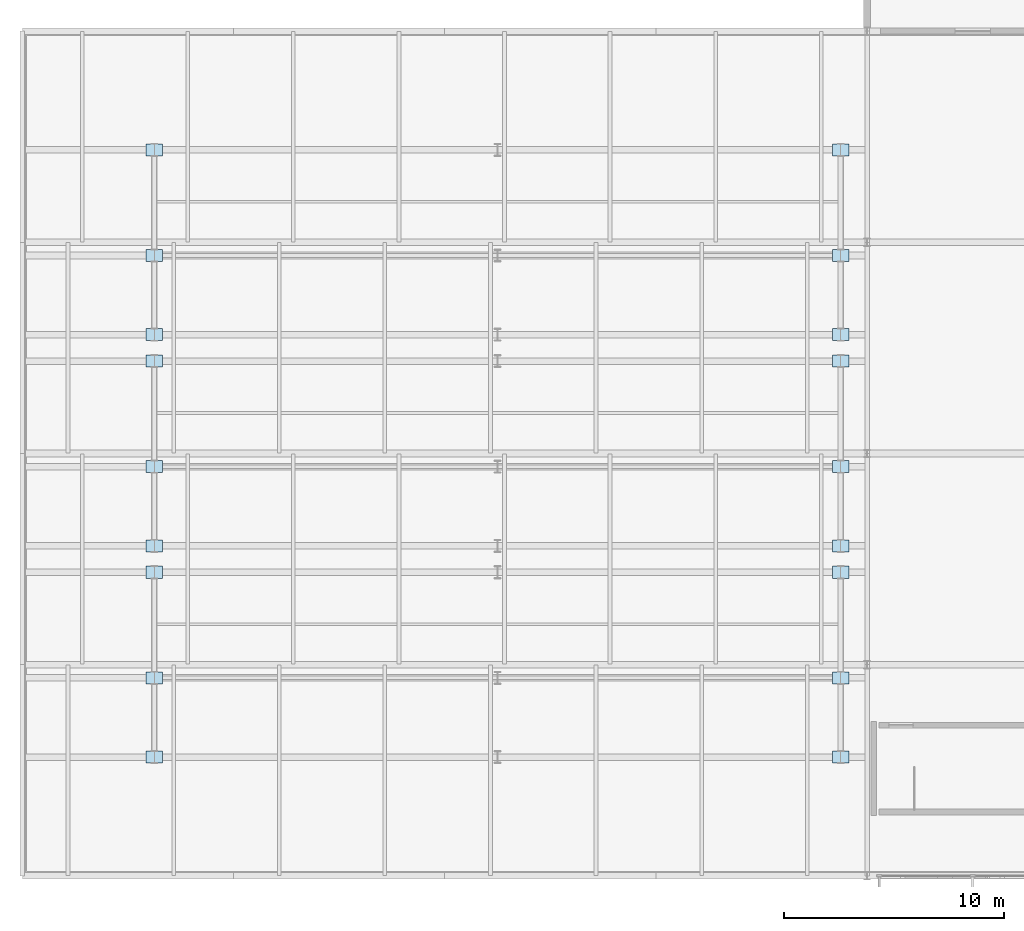
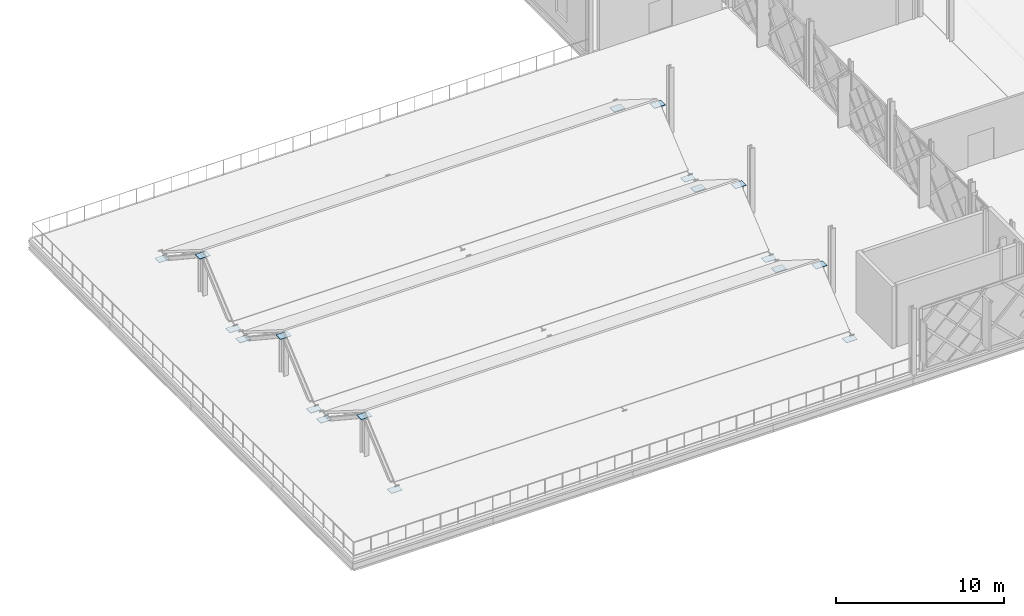
# One storey, part 46 of 77: 18 plates.
"""IFC4 building model written with IfcOpenShell, lengths in metres."""

import ifcopenshell
import ifcopenshell.guid

model = None  # the IFC model being written
_history = None  # IfcOwnerHistory: only IFC2X3 demands one
_inside = {}  # id of a spatial element -> (the spatial element, [elements in it])
_under = {}  # id of a project, library or spatial element -> (it, [spatial elements below it])
_declared = {}  # id of a project -> (the project, [libraries it declares])
_typed = {}  # id of a type object -> (the type object, [elements of that type])
_made_of = {}  # id of a material, layer set ... -> (it, [elements and type objects made of it])


def new_model(schema):
    """Start an empty IFC model of exactly this schema.

    Asked for "IFC4X3", IfcOpenShell would pick the latest addendum, in which some entities
    have other attributes; the version numbers below select the first issue.
    IFC2X3 requires an IfcOwnerHistory on every rooted entity: one is made here for all.
    """
    global model, _history
    if schema == "IFC4X3":
        model = ifcopenshell.file(schema_version=(4, 3, 0, 0))
    else:
        model = ifcopenshell.file(schema=schema)
    _inside.clear()
    _under.clear()
    _declared.clear()
    _typed.clear()
    _made_of.clear()
    _history = None
    if model.schema == "IFC2X3":
        org = make("IfcOrganization", Name="unknown")
        user = make(
            "IfcPersonAndOrganization",
            ThePerson=make("IfcPerson", FamilyName="unknown"),
            TheOrganization=org,
        )
        app = make(
            "IfcApplication",
            ApplicationDeveloper=org,
            Version="unknown",
            ApplicationFullName="unknown",
            ApplicationIdentifier="unknown",
        )
        _history = make(
            "IfcOwnerHistory",
            OwningUser=user,
            OwningApplication=app,
            ChangeAction="ADDED",
            CreationDate=0,
        )
    return model


def make(cls, **values):
    """One entity of the class cls with the attributes given. An attribute that is None is left unset."""
    return model.create_entity(
        cls, **{name: value for name, value in values.items() if value is not None}
    )


def rooted(cls, **values):
    """An entity with a GlobalId (a new one), such as an element, a storey or a relation."""
    return make(cls, GlobalId=ifcopenshell.guid.new(), OwnerHistory=_history, **values)


def si_unit(unit_type, name, prefix=None):
    """IfcSIUnit, for example si_unit("LENGTHUNIT", "METRE", prefix="MILLI")."""
    return make("IfcSIUnit", UnitType=unit_type, Prefix=prefix, Name=name)


def assignment(units):
    """IfcUnitAssignment: the units of a project."""
    return None if units is None else make("IfcUnitAssignment", Units=units)


def point(xyz):
    """IfcCartesianPoint."""
    return None if xyz is None else make("IfcCartesianPoint", Coordinates=xyz)


def direction(xyz):
    """IfcDirection."""
    return None if xyz is None else make("IfcDirection", DirectionRatios=xyz)


def frame(location, z_axis=None, x_axis=None):
    """IfcAxis2Placement3D, a coordinate frame: its origin and axes. An axis left out is left unset."""
    return make(
        "IfcAxis2Placement3D",
        Location=point(location),
        Axis=direction(z_axis),
        RefDirection=direction(x_axis),
    )


def frame_2d(location, x_axis=None):
    """IfcAxis2Placement2D, a coordinate frame in the plane: its origin and x axis."""
    return make(
        "IfcAxis2Placement2D", Location=point(location), RefDirection=direction(x_axis)
    )


def origin():
    """The frame at (0, 0, 0) with its axes left unset."""
    return frame((0.0, 0.0, 0.0))


def origin_2d():
    """The frame at (0, 0) in the plane with its x axis left unset."""
    return frame_2d((0.0, 0.0))


def place(relative_to, where):
    """IfcLocalPlacement: puts the frame where relative to a parent placement (None: the world)."""
    return make(
        "IfcLocalPlacement", PlacementRelTo=relative_to, RelativePlacement=where
    )


def context(
    kind, dimensions, precision=None, world=None, true_north=None, identifier=None
):
    """IfcGeometricRepresentationContext, for example the 3D "Model" context."""
    return make(
        "IfcGeometricRepresentationContext",
        ContextIdentifier=identifier,
        ContextType=kind,
        CoordinateSpaceDimension=dimensions,
        Precision=precision,
        WorldCoordinateSystem=world,
        TrueNorth=true_north,
    )


def subcontext(parent, identifier, kind, view, scale=None):
    """IfcGeometricRepresentationSubContext, for example "Body" below "Model"."""
    return make(
        "IfcGeometricRepresentationSubContext",
        ContextIdentifier=identifier,
        ContextType=kind,
        ParentContext=parent,
        TargetScale=scale,
        TargetView=view,
    )


def project(units=None, contexts=None):
    """IfcProject with its units and contexts."""
    return rooted(
        "IfcProject",
        Name="project",
        RepresentationContexts=contexts,
        UnitsInContext=assignment(units),
    )


def spatial(cls, under=None, at=None, **own):
    """A site, building, storey or space (cls), placed at a placement, below another one or the project."""
    s = rooted(cls, ObjectPlacement=at, **own)
    if under is not None:
        _under.setdefault(under.id(), (under, []))[1].append(s)
    return s


def profile(cls, at=None, kind="AREA", **sizes):
    """A parametric profile (cls). Its sizes go by their IFC names, for example OverallWidth=200.0."""
    return make(cls, ProfileType=kind, Position=at, **sizes)


def rectangle(**sizes):
    """IfcRectangleProfileDef."""
    return profile("IfcRectangleProfileDef", **sizes)


def extrude(swept, where, along, depth):
    """IfcExtrudedAreaSolid: the profile swept, set in the frame where, extruded along a direction by depth."""
    return make(
        "IfcExtrudedAreaSolid",
        SweptArea=swept,
        Position=where,
        ExtrudedDirection=direction(along),
        Depth=depth,
    )


def shape(context_of_items, identifier, shape_type, items):
    """IfcShapeRepresentation: the items that make up one representation, for example the "Body"."""
    return make(
        "IfcShapeRepresentation",
        ContextOfItems=context_of_items,
        RepresentationIdentifier=identifier,
        RepresentationType=shape_type,
        Items=items,
    )


def material(Name=None, Category=None):
    """IfcMaterial."""
    return make("IfcMaterial", Name=Name, Category=Category)


def layer(
    of_material, thickness, ventilated=None, Name=None, Category=None, Priority=None
):
    """IfcMaterialLayer: one layer of a wall or slab, of a material (None: an air gap)."""
    return make(
        "IfcMaterialLayer",
        Material=of_material,
        LayerThickness=thickness,
        IsVentilated=ventilated,
        Name=Name,
        Category=Category,
        Priority=Priority,
    )


def layer_set(layers, Name=None):
    """IfcMaterialLayerSet."""
    return make("IfcMaterialLayerSet", MaterialLayers=layers, LayerSetName=Name)


def made_of(thing, what):
    """Note that an element or type object is made of a material, layer set ...; save() writes the relation."""
    if what is not None:
        _made_of.setdefault(what.id(), (what, []))[1].append(thing)
    return thing


def type_object(cls, material=None, **own):
    """A type object (cls), such as IfcWallType, which elements share."""
    return made_of(rooted(cls, **own), material)


def element(
    cls,
    number,
    at=None,
    inside=None,
    cuts=None,
    type_object=None,
    material=None,
    context=None,
    identifier="Body",
    shape_type=None,
    held_by="IfcProductDefinitionShape",
    body=None,
    shapes=None,
    **own,
):
    """One element of the class cls, such as IfcWall. Its Tag is "e" and its number.

    at: its placement. inside: the storey or other place that contains it. cuts: it is an
    opening in that element (IfcRelVoidsElement). A single representation is given by context,
    identifier, shape_type and body (its items); several are given by shapes. held_by: the class
    of the entity that holds the representations. save() writes the other relations.
    """
    e = rooted(cls, Tag="e%d" % number, ObjectPlacement=at, **own)
    if body is not None:
        shapes = [shape(context, identifier, shape_type, body)]
    if shapes is not None:
        e.Representation = make(held_by, Representations=shapes)
    if inside is not None:
        _inside.setdefault(inside.id(), (inside, []))[1].append(e)
    if cuts is not None:
        rooted(
            "IfcRelVoidsElement", RelatingBuildingElement=cuts, RelatedOpeningElement=e
        )
    if type_object is not None:
        _typed.setdefault(type_object.id(), (type_object, []))[1].append(e)
    return made_of(e, material)


def aggregate(whole, parts):
    """IfcRelAggregates: a whole, such as a stair, and the parts it consists of."""
    return rooted("IfcRelAggregates", RelatingObject=whole, RelatedObjects=parts)


def save(model, path):
    """Write the relations noted so far, then the file.

    IfcRelAggregates (storeys below a building ...), IfcRelContainedInSpatialStructure (elements
    in a storey), IfcRelDefinesByType, IfcRelAssociatesMaterial and IfcRelDeclares: one each for
    every whole, place, type object, material and project.
    """
    for whole, parts in _under.values():
        aggregate(whole, parts)
    for where, things in _inside.values():
        rooted(
            "IfcRelContainedInSpatialStructure",
            RelatedElements=things,
            RelatingStructure=where,
        )
    for kind, things in _typed.values():
        rooted("IfcRelDefinesByType", RelatedObjects=things, RelatingType=kind)
    for what, things in _made_of.values():
        rooted("IfcRelAssociatesMaterial", RelatedObjects=things, RelatingMaterial=what)
    for by, libraries in _declared.values():
        rooted("IfcRelDeclares", RelatingContext=by, RelatedDefinitions=libraries)
    model.write(path)


model = new_model("IFC4")

# Units and contexts
model_context = context("Model", 3, precision=1e-05, world=origin(), true_north=direction((0.0, 1.0)))
body_context = subcontext(model_context, "Body", "Model", "MODEL_VIEW")
ifc_project = project(units=[si_unit("LENGTHUNIT", "METRE"), si_unit("AREAUNIT", "SQUARE_METRE"), si_unit("VOLUMEUNIT", "CUBIC_METRE"), si_unit("PLANEANGLEUNIT", "RADIAN"), si_unit("MASSUNIT", "GRAM", prefix="KILO")], contexts=[model_context])

# Site, building, storey
site_placement = place(None, origin())
site = spatial("IfcSite", under=ifc_project, at=site_placement, CompositionType="ELEMENT")
building_placement = place(site_placement, origin())
building = spatial("IfcBuilding", under=site, at=building_placement, Name="Zevrakil Square Congress Hotel", CompositionType="ELEMENT")
storey_placement = place(building_placement, frame((0.0, 0.0, 9.89990234375)))
storey = spatial("IfcBuildingStorey", under=building, at=storey_placement, Name="L03", CompositionType="ELEMENT", Elevation=9.89990234375)

# Plates
ifc_material = material(Name="Steel S355", Category="steel")
ifc_layer = layer(ifc_material, 0.028076171875)
ifc_layer_set = layer_set([ifc_layer], Name="Steel S355")
plate_type = type_object("IfcPlateType", Name="PLT-GUSSET-750", PredefinedType="SHEET", material=ifc_layer_set)
for number, where, z_axis, x_axis, name in (
    (1, (13.199951171875, 12.60009765625, -0.36376953125), (0.0, 0.0, 1.0), (1.0, 0.0, 0.0), "L03 brace and strut end gusset connection plate GP-E11"),
    (2, (13.199951171875, 16.199951171875, 2.80615234375), (0.0, 0.0, 1.0), (1.0, 0.0, 0.0), "L03 brace and strut end gusset connection plate GP-E12"),
    (3, (13.199951171875, 21.0, -0.36376953125), (0.0, 0.0, 1.0), (1.0, 0.0, 0.0), "L03 brace and strut end gusset connection plate GP-E13"),
    (4, (44.39990234375, 12.60009765625, -0.36376953125), (0.0, 0.0, 1.0), (1.0, 0.0, 0.0), "L03 brace and strut end gusset connection plate GP-E14"),
    (5, (44.39990234375, 16.199951171875, 2.80615234375), (0.0, 0.0, 1.0), (1.0, 0.0, 0.0), "L03 brace and strut end gusset connection plate GP-E15"),
    (6, (44.39990234375, 21.0, -0.36376953125), (0.0, 0.0, 1.0), (1.0, 0.0, 0.0), "L03 brace and strut end gusset connection plate GP-E16"),
    (7, (13.199951171875, 22.199951171875, -0.36376953125), (0.0, 0.0, 1.0), (1.0, 0.0, 0.0), "L03 brace and strut end gusset connection plate GP-E17"),
    (8, (13.199951171875, 25.800048828125, 2.80615234375), (0.0, 0.0, 1.0), (1.0, 0.0, 0.0), "L03 brace and strut end gusset connection plate GP-E18"),
    (9, (13.199951171875, 30.60009765625, -0.36376953125), (0.0, 0.0, 1.0), (1.0, 0.0, 0.0), "L03 brace and strut end gusset connection plate GP-E19"),
    (10, (44.39990234375, 22.199951171875, -0.36376953125), (0.0, 0.0, 1.0), (1.0, 0.0, 0.0), "L03 brace and strut end gusset connection plate GP-E20"),
    (11, (44.39990234375, 25.800048828125, 2.80615234375), (0.0, 0.0, 1.0), (1.0, 0.0, 0.0), "L03 brace and strut end gusset connection plate GP-E21"),
    (12, (44.39990234375, 30.60009765625, -0.36376953125), (0.0, 0.0, 1.0), (1.0, 0.0, 0.0), "L03 brace and strut end gusset connection plate GP-E22"),
    (13, (13.199951171875, 31.800048828125, -0.36376953125), (0.0, 0.0, 1.0), (1.0, 0.0, 0.0), "L03 brace and strut end gusset connection plate GP-E23"),
    (14, (13.199951171875, 35.39990234375, 2.80615234375), (0.0, 0.0, 1.0), (1.0, 0.0, 0.0), "L03 brace and strut end gusset connection plate GP-E24"),
    (15, (13.199951171875, 40.199951171875, -0.36376953125), (0.0, 0.0, 1.0), (1.0, 0.0, 0.0), "L03 brace and strut end gusset connection plate GP-E25"),
    (16, (44.39990234375, 31.800048828125, -0.36376953125), (0.0, 0.0, 1.0), (1.0, 0.0, 0.0), "L03 brace and strut end gusset connection plate GP-E26"),
    (17, (44.39990234375, 35.39990234375, 2.80615234375), (0.0, 0.0, 1.0), (1.0, 0.0, 0.0), "L03 brace and strut end gusset connection plate GP-E27"),
    (18, (44.39990234375, 40.199951171875, -0.36376953125), (0.0, 0.0, 1.0), (1.0, 0.0, 0.0), "L03 brace and strut end gusset connection plate GP-E28"),
):
    element("IfcPlate", number, at=place(storey_placement, frame(where, z_axis=z_axis, x_axis=x_axis)), inside=storey, type_object=plate_type, Name=name, PredefinedType="SHEET", context=body_context, shape_type="SweptSolid", body=[
        extrude(rectangle(XDim=0.75, YDim=0.550048828125, at=origin_2d()), origin(), (0.0, 0.0, 1.0), 0.028076171875),
    ])

save(model, "model.ifc")
